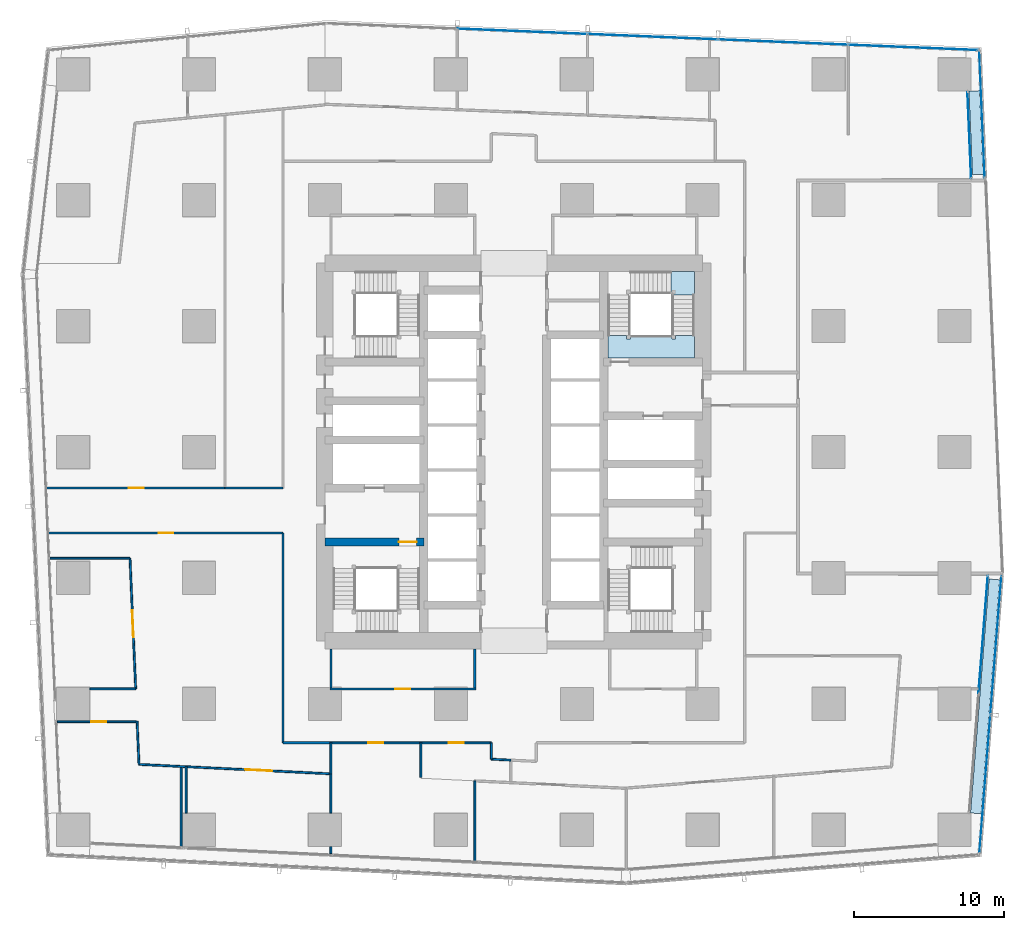
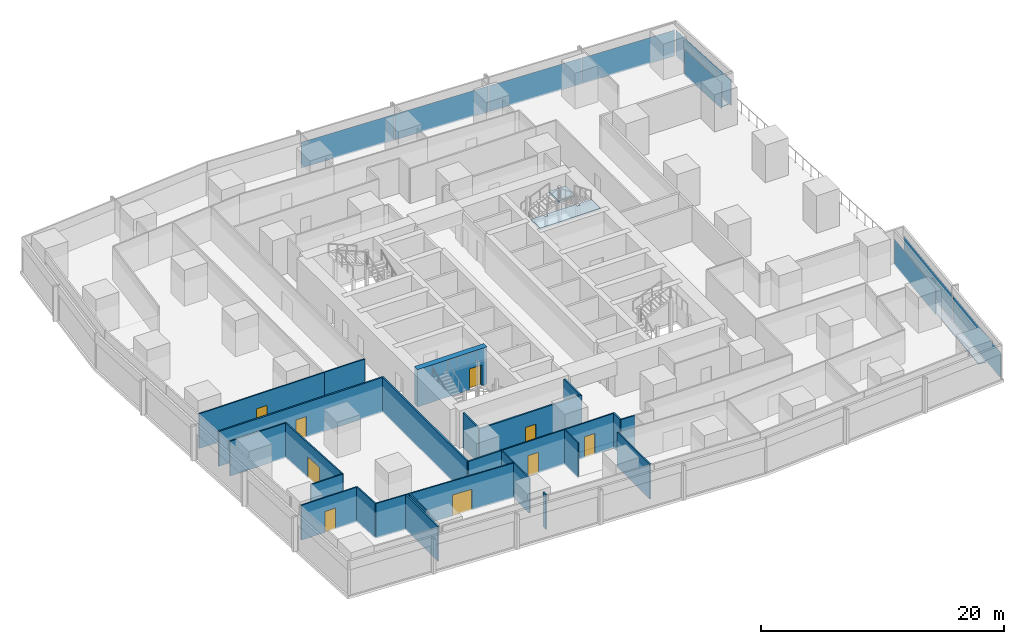
# One storey, part 29 of 42: 27 walls, 11 plates, 9 doors, 2 slabs, 9 openings, 6 elements without a shape of their own.
"""IFC4 building model written with IfcOpenShell, lengths in metres."""

from ifc_helpers import new_model, si_unit, direction, frame, frame_2d, origin, origin_2d, place, context, subcontext, project, spatial, polyline, rectangle, outline, extrude, material, layer, layer_set, type_object, element, fill, aggregate, save


model = new_model("IFC4")

# Units and contexts
model_context = context("Model", 3, precision=1e-05, world=origin(), true_north=direction((0.0, 1.0)))
body_context = subcontext(model_context, "Body", "Model", "MODEL_VIEW")
ifc_project = project(units=[si_unit("LENGTHUNIT", "METRE"), si_unit("AREAUNIT", "SQUARE_METRE"), si_unit("VOLUMEUNIT", "CUBIC_METRE"), si_unit("PLANEANGLEUNIT", "RADIAN"), si_unit("MASSUNIT", "GRAM", prefix="KILO")], contexts=[model_context])

# Site, building, storey
site_placement = place(None, origin())
site = spatial("IfcSite", under=ifc_project, at=site_placement, CompositionType="ELEMENT")
building_placement = place(site_placement, origin())
building = spatial("IfcBuilding", under=site, at=building_placement, Name="Rekha Terrace Tower", CompositionType="ELEMENT")
storey_placement = place(building_placement, frame((0.0, 0.0, 70.39990234375)))
storey = spatial("IfcBuildingStorey", under=building, at=storey_placement, Name="L17", CompositionType="ELEMENT", Elevation=70.39990234375)

# Curtain wall, plate
ifc_material_1 = material(Name="Aluminium framing", Category="aluminium")
curtain_wall_type_1 = type_object("IfcCurtainWallType", Name="CW1 double skin inner glazing", PredefinedType="USERDEFINED", material=ifc_material_1)
curtain_wall_1_placement = place(storey_placement, origin())
curtain_wall_1 = element("IfcCurtainWall", 1, at=curtain_wall_1_placement, inside=storey, type_object=curtain_wall_type_1, Name="CW1 double skin inner glazing", ObjectType="DOUBLE SKIN INNER GLAZING", PredefinedType="USERDEFINED")
ifc_material_2 = material(Name="Double-glazed low-e unit 32", Category="glass")
ifc_layer_1 = layer(ifc_material_2, 0.031982421875)
ifc_layer_set_1 = layer_set([ifc_layer_1], Name="Double-glazed low-e unit 32")
plate_type_1 = type_object("IfcPlateType", Name="CW1 jumbo vision panel, double-glazed low-e unit 32", PredefinedType="CURTAIN_PANEL", material=ifc_layer_set_1)
plate_1_placement = place(storey_placement, frame((69.11279296875, 21.41796875, 0.0), z_axis=(0.0, 0.0, 1.0), x_axis=(0.079116300982, 0.996865392578, 0.0)))
plate_1 = element("IfcPlate", 2, at=plate_1_placement, type_object=plate_type_1, Name="CW1 panel 2.1", PredefinedType="CURTAIN_PANEL", context=body_context, shape_type="SweptSolid", body=[
    extrude(rectangle(XDim=7.865234375, YDim=0.031982421875, at=origin_2d()), origin(), (0.0, 0.0, 1.0), 2.60009765625),
])
aggregate(curtain_wall_1, [plate_1])

curtain_wall_2_placement = place(storey_placement, origin())
curtain_wall_2 = element("IfcCurtainWall", 3, at=curtain_wall_2_placement, inside=storey, type_object=curtain_wall_type_1, Name="CW1 double skin inner glazing", ObjectType="DOUBLE SKIN INNER GLAZING", PredefinedType="USERDEFINED")
plate_2_placement = place(storey_placement, frame((68.189453125, 54.742919921875, 0.0), z_axis=(0.0, 0.0, 1.0), x_axis=(-0.042696073026, 0.9990881069, 0.0)))
plate_2 = element("IfcPlate", 4, at=plate_2_placement, type_object=plate_type_1, Name="CW1 panel 1.1", PredefinedType="CURTAIN_PANEL", context=body_context, shape_type="SweptSolid", body=[
    extrude(rectangle(XDim=5.7412109375, YDim=0.031982421875, at=origin_2d()), origin(), (0.0, 0.0, 1.0), 2.60009765625),
])
aggregate(curtain_wall_2, [plate_2])

# Curtain wall, plates
curtain_wall_type_2 = type_object("IfcCurtainWallType", Name="CW2 double skin outer glazing", PredefinedType="USERDEFINED", material=ifc_material_1)
curtain_wall_3_placement = place(storey_placement, origin())
curtain_wall_3 = element("IfcCurtainWall", 5, at=curtain_wall_3_placement, inside=storey, type_object=curtain_wall_type_2, Name="CW2 double skin outer glazing", ObjectType="DOUBLE SKIN OUTER GLAZING", PredefinedType="USERDEFINED")
ifc_material_3 = material(Name="Toughened single glazing 12", Category="glass")
ifc_layer_2 = layer(ifc_material_3, 0.011962890625)
ifc_layer_set_2 = layer_set([ifc_layer_2], Name="Toughened single glazing 12")
plate_type_2 = type_object("IfcPlateType", Name="CW2 jumbo vision panel, toughened single glazing 12", PredefinedType="CURTAIN_PANEL", material=ifc_layer_set_2)
plate_3_placement = place(storey_placement, frame((69.222900390625, 11.43212890625, 0.0), z_axis=(0.0, 0.0, 1.0), x_axis=(0.079116300982, 0.996865392578, 0.0)))
plate_3 = element("IfcPlate", 6, at=plate_3_placement, type_object=plate_type_2, Name="CW2 panel 1.1", PredefinedType="CURTAIN_PANEL", context=body_context, shape_type="SweptSolid", body=[
    extrude(rectangle(XDim=9.236572265625, YDim=0.011962890625, at=origin_2d()), origin(), (0.0, 0.0, 1.0), 2.60009765625),
])
plate_4_placement = place(storey_placement, frame((69.960205078125, 20.719482421875, 0.0), z_axis=(0.0, 0.0, 1.0), x_axis=(0.079116300982, 0.996865392578, 0.0)))
plate_4 = element("IfcPlate", 7, at=plate_4_placement, type_object=plate_type_2, Name="CW2 panel 2.1", PredefinedType="CURTAIN_PANEL", context=body_context, shape_type="SweptSolid", body=[
    extrude(rectangle(XDim=9.236572265625, YDim=0.011962890625, at=origin_2d()), origin(), (0.0, 0.0, 1.0), 2.60009765625),
])
aggregate(curtain_wall_3, [plate_3, plate_4])

# Curtain wall, plate
curtain_wall_4_placement = place(storey_placement, origin())
curtain_wall_4 = element("IfcCurtainWall", 8, at=curtain_wall_4_placement, inside=storey, type_object=curtain_wall_type_2, Name="CW2 double skin outer glazing", ObjectType="DOUBLE SKIN OUTER GLAZING", PredefinedType="USERDEFINED")
plate_5_placement = place(storey_placement, frame((69.031005859375, 56.128173828125, 0.0), z_axis=(0.0, 0.0, 1.0), x_axis=(-0.042696072956, 0.999088106903, 0.0)))
plate_5 = element("IfcPlate", 9, at=plate_5_placement, type_object=plate_type_2, Name="CW2 panel 1.1", PredefinedType="CURTAIN_PANEL", context=body_context, shape_type="SweptSolid", body=[
    extrude(rectangle(XDim=8.484130859375, YDim=0.011962890625, at=origin_2d()), origin(), (0.0, 0.0, 1.0), 2.60009765625),
])
aggregate(curtain_wall_4, [plate_5])

# Curtain wall, plates
curtain_wall_type_3 = type_object("IfcCurtainWallType", Name="CW3 north unitised glazing", PredefinedType="USERDEFINED", material=ifc_material_1)
curtain_wall_5_placement = place(storey_placement, origin())
curtain_wall_5 = element("IfcCurtainWall", 10, at=curtain_wall_5_placement, inside=storey, type_object=curtain_wall_type_3, Name="CW3 unitised curtain wall", ObjectType="UNITISED CURTAIN WALL", PredefinedType="USERDEFINED")
ifc_material_4 = material(Name="Double-glazed unit 28", Category="glass")
ifc_layer_3 = layer(ifc_material_4, 0.028076171875)
ifc_layer_set_3 = layer_set([ifc_layer_3], Name="Double-glazed unit 28")
plate_type_3 = type_object("IfcPlateType", Name="CW3 jumbo vision panel, double-glazed unit 28", PredefinedType="CURTAIN_PANEL", material=ifc_layer_set_3)
plate_6_placement = place(storey_placement, frame((64.4423828125, 60.587646484375, 0.0), z_axis=(0.0, 0.0, 1.0), x_axis=(-0.999151997647, 0.041173846041, 0.0)))
plate_6 = element("IfcPlate", 11, at=plate_6_placement, type_object=plate_type_3, Name="CW3 panel 1.1", PredefinedType="CURTAIN_PANEL", context=body_context, shape_type="SweptSolid", body=[
    extrude(rectangle(XDim=8.598876953125, YDim=0.028076171875, at=origin_2d()), origin(), (0.0, 0.0, 1.0), 2.60009765625),
])
plate_7_placement = place(storey_placement, frame((55.76318359375, 60.9453125, 0.0), z_axis=(0.0, 0.0, 1.0), x_axis=(-0.999151997647, 0.041173846041, 0.0)))
plate_7 = element("IfcPlate", 12, at=plate_7_placement, type_object=plate_type_3, Name="CW3 panel 2.1", PredefinedType="CURTAIN_PANEL", context=body_context, shape_type="SweptSolid", body=[
    extrude(rectangle(XDim=8.6337890625, YDim=0.028076171875, at=origin_2d()), origin(), (0.0, 0.0, 1.0), 2.60009765625),
])
plate_8_placement = place(storey_placement, frame((47.066650390625, 61.3037109375, 0.0), z_axis=(0.0, 0.0, 1.0), x_axis=(-0.999151997647, 0.041173846041, 0.0)))
plate_8 = element("IfcPlate", 13, at=plate_8_placement, type_object=plate_type_3, Name="CW3 panel 3.1", PredefinedType="CURTAIN_PANEL", context=body_context, shape_type="SweptSolid", body=[
    extrude(rectangle(XDim=8.6337890625, YDim=0.028076171875, at=origin_2d()), origin(), (0.0, 0.0, 1.0), 2.60009765625),
])
plate_9_placement = place(storey_placement, frame((38.370361328125, 61.662109375, 0.0), z_axis=(0.0, 0.0, 1.0), x_axis=(-0.999151997647, 0.041173846041, 0.0)))
plate_9 = element("IfcPlate", 14, at=plate_9_placement, type_object=plate_type_3, Name="CW3 panel 4.1", PredefinedType="CURTAIN_PANEL", context=body_context, shape_type="SweptSolid", body=[
    extrude(rectangle(XDim=8.6337890625, YDim=0.028076171875, at=origin_2d()), origin(), (0.0, 0.0, 1.0), 2.60009765625),
])
aggregate(curtain_wall_5, [plate_6, plate_7, plate_8, plate_9])

# Plates
ifc_material_5 = material(Name="Galvanised steel open grating", Category="steel")
ifc_layer_4 = layer(ifc_material_5, 0.050048828125)
ifc_layer_set_4 = layer_set([ifc_layer_4], Name="Galvanised steel open grating")
plate_type_4 = type_object("IfcPlateType", Name="GT1 cavity walkway grating 50", PredefinedType="USERDEFINED", material=ifc_layer_set_4)
plate_10_placement = place(storey_placement, frame((69.2373046875, 17.29931640625, 0.0), z_axis=(0.0, 0.0, 1.0), x_axis=(0.079116301, 0.996865392576, 0.0)))
element("IfcPlate", 15, at=plate_10_placement, inside=storey, type_object=plate_type_4, Name="Cavity walkway grating", ObjectType="CAVITY WALKWAY GRATING", PredefinedType="USERDEFINED", context=body_context, shape_type="SweptSolid", body=[
    extrude(rectangle(XDim=15.658203125, YDim=0.705078125, at=origin_2d()), origin(), (0.0, 0.0, 1.0), 0.050048828125),
])
plate_11_placement = place(storey_placement, frame((68.633056640625, 54.8994140625, 0.0), z_axis=(0.0, 0.0, 1.0), x_axis=(-0.042696072939, 0.999088106903, 0.0)))
element("IfcPlate", 16, at=plate_11_placement, inside=storey, type_object=plate_type_4, Name="Cavity walkway grating", ObjectType="CAVITY WALKWAY GRATING", PredefinedType="USERDEFINED", context=body_context, shape_type="SweptSolid", body=[
    extrude(rectangle(XDim=5.58447265625, YDim=0.705078125, at=origin_2d()), origin(), (0.0, 0.0, 1.0), 0.050048828125),
])

# Stair, slabs
ifc_material_6 = material(Name="Concrete M40", Category="concrete")
stair_type = type_object("IfcStairType", Name="ST30 stair, 30 risers of 125, going 300, 1500 wide flights, 3 flights", PredefinedType="HALF_TURN_STAIR", material=ifc_material_6)
stair_placement = place(storey_placement, origin())
stair = element("IfcStair", 17, at=stair_placement, inside=storey, type_object=stair_type, Name="Stair ST2 L17 to L18", PredefinedType="HALF_TURN_STAIR")
ifc_layer_5 = layer(ifc_material_6, 0.199951171875)
ifc_layer_set_5 = layer_set([ifc_layer_5], Name="Concrete M40")
slab_type = type_object("IfcSlabType", Name="LD1 200 concrete stair landing", PredefinedType="LANDING", material=ifc_layer_set_5)
slab_1_placement = place(storey_placement, frame((0.0, 0.0, 2.300048828125)))
slab_1 = element("IfcSlab", 18, at=slab_1_placement, type_object=slab_type, Name="ST2 landing 2", PredefinedType="LANDING", context=body_context, shape_type="SweptSolid", body=[
    extrude(outline(polyline([(48.35009765625, 44.074951171875), (49.85009765625, 44.074951171875), (49.85009765625, 45.64990234375), (48.27490234375, 45.64990234375), (48.27490234375, 44.14990234375), (48.35009765625, 44.14990234375), (48.35009765625, 44.074951171875)])), origin(), (0.0, 0.0, 1.0), 0.199951171875),
])
slab_2_placement = place(storey_placement, frame((0.0, 0.0, 3.550048828125)))
slab_2 = element("IfcSlab", 19, at=slab_2_placement, type_object=slab_type, Name="ST2 landing 3", PredefinedType="LANDING", context=body_context, shape_type="SweptSolid", body=[
    extrude(outline(polyline([(44.074951171875, 41.375), (44.074951171875, 39.875), (49.85009765625, 39.875), (49.85009765625, 41.375), (48.60009765625, 41.375), (48.60009765625, 41.125), (48.35009765625, 41.125), (48.35009765625, 41.375), (45.574951171875, 41.375), (45.574951171875, 41.125), (45.324951171875, 41.125), (45.324951171875, 41.375), (44.074951171875, 41.375)])), origin(), (0.0, 0.0, 1.0), 0.199951171875),
])
aggregate(stair, [slab_1, slab_2])

# Wall, opening, door
ifc_material_7 = material(Name="Concrete M70", Category="concrete")
ifc_layer_6 = layer(ifc_material_7, 0.550048828125)
ifc_layer_set_6 = layer_set([ifc_layer_6], Name="Concrete M70")
wall_type_1 = type_object("IfcWallType", Name="CI1 550 core internal shear wall", PredefinedType="SHEAR", material=ifc_layer_set_6)
wall_1_placement = place(storey_placement, frame((25.199951171875, 27.60009765625, 0.0), z_axis=(0.0, 0.0, 1.0), x_axis=(1.0, 0.0, 0.0)))
wall_1 = element("IfcWall", 20, at=wall_1_placement, inside=storey, type_object=wall_type_1, Name="Core wall Y276W L17", PredefinedType="SHEAR", context=body_context, shape_type="SweptSolid", body=[
    extrude(rectangle(XDim=6.60009765625, YDim=0.550048828125, at=frame_2d((3.300048828125, 0.0))), origin(), (0.0, 0.0, 1.0), 3.75),
])
opening_1_placement = place(wall_1_placement, frame((4.925048828125, 0.0, 0.0)))
opening_1 = element("IfcOpeningElement", 21, at=opening_1_placement, cuts=wall_1, Name="Opening D1", PredefinedType="OPENING", context=body_context, shape_type="SweptSolid", body=[
    extrude(rectangle(XDim=1.199951171875, YDim=2.10009765625, at=frame_2d((0.60009765625, 1.050048828125))), frame((0.0, 0.284912109375, 0.0), z_axis=(0.0, -1.0, 0.0), x_axis=(1.0, 0.0, 0.0)), (0.0, 0.0, 1.0), 0.570068359375),
])
ifc_material_8 = material(Name="Steel fire door", Category="steel")
door_type_1 = type_object("IfcDoorType", Name="D1 1200x2100 stair fire door", OperationType="SINGLE_SWING_RIGHT", PredefinedType="DOOR", material=ifc_material_8)
door_1_placement = place(opening_1_placement, origin())
door_1 = element("IfcDoor", 22, at=door_1_placement, inside=storey, type_object=door_type_1, Name="Stair ST1 door L17", OperationType="SINGLE_SWING_RIGHT", OverallHeight=2.10009765625, OverallWidth=1.199951171875, PredefinedType="DOOR", context=body_context, shape_type="SweptSolid", body=[
    extrude(rectangle(XDim=1.199951171875, YDim=2.10009765625, at=frame_2d((0.60009765625, 1.050048828125))), frame((0.0, 0.02490234375, 0.0), z_axis=(0.0, -1.0, 0.0), x_axis=(1.0, 0.0, 0.0)), (0.0, 0.0, 1.0), 0.050048828125),
])
fill(opening_1, door_1)

ifc_material_9 = material(Name="Concrete block masonry, 1 hour", Category="masonry")
ifc_layer_7 = layer(ifc_material_9, 0.14990234375)
ifc_layer_set_7 = layer_set([ifc_layer_7], Name="Concrete block masonry, 1 hour")
wall_type_2 = type_object("IfcWallType", Name="WP2 150 tenancy partition", PredefinedType="PARTITIONING", material=ifc_layer_set_7)
wall_2_placement = place(storey_placement, frame((25.52490234375, 17.800048828125, 0.0), z_axis=(0.0, 0.0, 1.0), x_axis=(1.0, 0.0, 0.0)))
wall_2 = element("IfcWall", 23, at=wall_2_placement, inside=storey, type_object=wall_type_2, Name="Men's WC wall L17", PredefinedType="PARTITIONING", context=body_context, shape_type="SweptSolid", body=[
    extrude(rectangle(XDim=9.75, YDim=0.14990234375, at=frame_2d((4.875, 0.0))), origin(), (0.0, 0.0, 1.0), 3.5),
])
opening_2_placement = place(wall_2_placement, frame((4.375, 0.0, 0.0)))
opening_2 = element("IfcOpeningElement", 24, at=opening_2_placement, cuts=wall_2, Name="Opening D3", PredefinedType="OPENING", context=body_context, shape_type="SweptSolid", body=[
    extrude(rectangle(XDim=1.0, YDim=2.10009765625, at=frame_2d((0.5, 1.050048828125))), frame((0.0, 0.0849609375, 0.0), z_axis=(0.0, -1.0, 0.0), x_axis=(1.0, 0.0, 0.0)), (0.0, 0.0, 1.0), 0.169921875),
])
ifc_material_10 = material(Name="Laminated timber fire door", Category="wood")
door_type_2 = type_object("IfcDoorType", Name="D3 1000x2100 WC door", OperationType="SINGLE_SWING_LEFT", PredefinedType="DOOR", material=ifc_material_10)
door_2_placement = place(opening_2_placement, origin())
door_2 = element("IfcDoor", 25, at=door_2_placement, inside=storey, type_object=door_type_2, Name="Door men's wc L17", OperationType="SINGLE_SWING_LEFT", OverallHeight=2.10009765625, OverallWidth=1.0, PredefinedType="DOOR", context=body_context, shape_type="SweptSolid", body=[
    extrude(rectangle(XDim=1.0, YDim=2.10009765625, at=frame_2d((0.5, 1.050048828125))), frame((0.0, 0.02490234375, 0.0), z_axis=(0.0, -1.0, 0.0), x_axis=(1.0, 0.0, 0.0)), (0.0, 0.0, 1.0), 0.050048828125),
])
fill(opening_2, door_2)

# Walls
for number, where, z_axis, x_axis, name in (
    (26, (25.60009765625, 17.875, 0.0), (0.0, 0.0, 1.0), (0.0, 1.0, 0.0), "Men's WC wall L17"),
    (27, (35.199951171875, 17.875, 0.0), (0.0, 0.0, 1.0), (0.0, 1.0, 0.0), "Men's WC wall L17"),
):
    element("IfcWall", number, at=place(storey_placement, frame(where, z_axis=z_axis, x_axis=x_axis)), inside=storey, type_object=wall_type_2, Name=name, PredefinedType="PARTITIONING", context=body_context, shape_type="SweptSolid", body=[
        extrude(rectangle(XDim=2.574951171875, YDim=0.14990234375, at=frame_2d((1.28759765625, 0.0))), origin(), (0.0, 0.0, 1.0), 3.5),
    ])

# Wall, opening, door
wall_3_placement = place(storey_placement, frame((6.76708984375, 28.199951171875, 0.0), z_axis=(0.0, 0.0, 1.0), x_axis=(1.0, 0.0, 0.0)))
wall_3 = element("IfcWall", 28, at=wall_3_placement, inside=storey, type_object=wall_type_2, Name="Partition L17-O4", PredefinedType="PARTITIONING", context=body_context, shape_type="SweptSolid", body=[
    extrude(rectangle(XDim=15.6328125, YDim=0.14990234375, at=frame_2d((7.81640625, 0.0))), origin(), (0.0, 0.0, 1.0), 3.5),
])
opening_3_placement = place(wall_3_placement, frame((7.3310546875, 0.0, 0.0)))
opening_3 = element("IfcOpeningElement", 29, at=opening_3_placement, cuts=wall_3, Name="Opening D9", PredefinedType="OPENING", context=body_context, shape_type="SweptSolid", body=[
    extrude(rectangle(XDim=1.0, YDim=2.10009765625, at=frame_2d((0.5, 1.050048828125))), frame((0.0, 0.0849609375, 0.0), z_axis=(0.0, -1.0, 0.0), x_axis=(1.0, 0.0, 0.0)), (0.0, 0.0, 1.0), 0.169921875),
])
ifc_material_11 = material(Name="Timber fire door", Category="wood")
door_type_3 = type_object("IfcDoorType", Name="D9 1000x2100 office door", OperationType="SINGLE_SWING_LEFT", PredefinedType="DOOR", material=ifc_material_11)
door_3_placement = place(opening_3_placement, origin())
door_3 = element("IfcDoor", 30, at=door_3_placement, inside=storey, type_object=door_type_3, Name="Door open-plan office L17", OperationType="SINGLE_SWING_LEFT", OverallHeight=2.10009765625, OverallWidth=1.0, PredefinedType="DOOR", context=body_context, shape_type="SweptSolid", body=[
    extrude(rectangle(XDim=1.0, YDim=2.10009765625, at=frame_2d((0.5, 1.050048828125))), frame((0.0, 0.02490234375, 0.0), z_axis=(0.0, -1.0, 0.0), x_axis=(1.0, 0.0, 0.0)), (0.0, 0.0, 1.0), 0.050048828125),
])
fill(opening_3, door_3)

# Walls
wall_4_placement = place(storey_placement, frame((22.39990234375, 28.199951171875, 0.0), z_axis=(0.0, 0.0, 1.0), x_axis=(0.0, -1.0, 0.0)))
element("IfcWall", 31, at=wall_4_placement, inside=storey, type_object=wall_type_2, Name="Partition L17-O4", PredefinedType="PARTITIONING", context=body_context, shape_type="SweptSolid", body=[
    extrude(rectangle(XDim=14.0, YDim=0.14990234375, at=frame_2d((7.0, 0.0))), origin(), (0.0, 0.0, 1.0), 3.5),
])
wall_5_placement = place(storey_placement, frame((22.39990234375, 14.199951171875, 0.0), z_axis=(0.0, 0.0, 1.0), x_axis=(1.0, 0.0, 0.0)))
element("IfcWall", 32, at=wall_5_placement, inside=storey, type_object=wall_type_2, Name="Partition L17-O4", PredefinedType="PARTITIONING", context=body_context, shape_type="SweptSolid", body=[
    extrude(rectangle(XDim=3.2001953125, YDim=0.14990234375, at=frame_2d((1.60009765625, 0.0))), origin(), (0.0, 0.0, 1.0), 3.5),
])
ifc_material_12 = material(Name="Two layers of fire-rated gypsum board each side on steel studs, acoustic quilt, 1 hour", Category="steel")
ifc_layer_8 = layer(ifc_material_12, 0.125)
ifc_layer_set_8 = layer_set([ifc_layer_8], Name="Two layers of fire-rated gypsum board each side on steel studs, acoustic quilt, 1 hour")
wall_type_3 = type_object("IfcWallType", Name="WP3 125 office partition", PredefinedType="PARTITIONING", material=ifc_layer_set_8)
wall_6_placement = place(storey_placement, frame((35.200927734375, 6.306884765625, 0.0), z_axis=(0.0, 0.0, 1.0), x_axis=(0.0, 1.0, 0.0)))
element("IfcWall", 33, at=wall_6_placement, inside=storey, type_object=wall_type_3, Name="Partition L17-02", PredefinedType="PARTITIONING", context=body_context, shape_type="SweptSolid", body=[
    extrude(rectangle(XDim=5.356201171875, YDim=0.125, at=frame_2d((2.67822265625, 0.0))), origin(), (0.0, 0.0, 1.0), 3.5),
])
wall_7_placement = place(storey_placement, frame((25.60107421875, 6.80810546875, 0.0), z_axis=(0.0, 0.0, 1.0), x_axis=(0.0, 1.0, 0.0)))
element("IfcWall", 34, at=wall_7_placement, inside=storey, type_object=wall_type_3, Name="Partition L17-06", PredefinedType="PARTITIONING", context=body_context, shape_type="SweptSolid", body=[
    extrude(rectangle(XDim=0.471923828125, YDim=0.125, at=frame_2d((0.23583984375, 0.0))), origin(), (0.0, 0.0, 1.0), 3.5),
])
wall_8_placement = place(storey_placement, frame((25.60107421875, 9.52001953125, 0.0), z_axis=(0.0, 0.0, 1.0), x_axis=(0.0, 1.0, 0.0)))
element("IfcWall", 35, at=wall_8_placement, inside=storey, type_object=wall_type_3, Name="Partition L17-06", PredefinedType="PARTITIONING", context=body_context, shape_type="SweptSolid", body=[
    extrude(rectangle(XDim=2.614013671875, YDim=0.125, at=frame_2d((1.30712890625, 0.0))), origin(), (0.0, 0.0, 1.0), 3.5),
])

# Wall, opening, door
wall_9_placement = place(storey_placement, frame((25.60107421875, 14.199951171875, 0.0), z_axis=(0.0, 0.0, 1.0), x_axis=(1.0, 0.0, 0.0)))
wall_9 = element("IfcWall", 36, at=wall_9_placement, inside=storey, type_object=wall_type_3, Name="Partition L17-07", PredefinedType="PARTITIONING", context=body_context, shape_type="SweptSolid", body=[
    extrude(rectangle(XDim=6.0, YDim=0.125, at=frame_2d((3.0, 0.0))), origin(), (0.0, 0.0, 1.0), 3.5),
])
opening_4_placement = place(wall_9_placement, frame((2.5, 0.0, 0.0)))
opening_4 = element("IfcOpeningElement", 37, at=opening_4_placement, cuts=wall_9, Name="Opening D9", PredefinedType="OPENING", context=body_context, shape_type="SweptSolid", body=[
    extrude(rectangle(XDim=1.0, YDim=2.10009765625, at=frame_2d((0.5, 1.050048828125))), frame((0.0, 0.072509765625, 0.0), z_axis=(0.0, -1.0, 0.0), x_axis=(1.0, 0.0, 0.0)), (0.0, 0.0, 1.0), 0.14501953125),
])
door_4_placement = place(opening_4_placement, origin())
door_4 = element("IfcDoor", 38, at=door_4_placement, inside=storey, type_object=door_type_3, Name="Door reception L17", OperationType="SINGLE_SWING_LEFT", OverallHeight=2.10009765625, OverallWidth=1.0, PredefinedType="DOOR", context=body_context, shape_type="SweptSolid", body=[
    extrude(rectangle(XDim=1.0, YDim=2.10009765625, at=frame_2d((0.5, 1.050048828125))), frame((0.0, 0.02490234375, 0.0), z_axis=(0.0, -1.0, 0.0), x_axis=(1.0, 0.0, 0.0)), (0.0, 0.0, 1.0), 0.050048828125),
])
fill(opening_4, door_4)

# Walls
wall_10_placement = place(storey_placement, frame((31.60107421875, 14.199951171875, 0.0), z_axis=(0.0, 0.0, 1.0), x_axis=(0.0, -1.0, 0.0)))
element("IfcWall", 39, at=wall_10_placement, inside=storey, type_object=wall_type_3, Name="Partition L17-07", PredefinedType="PARTITIONING", context=body_context, shape_type="SweptSolid", body=[
    extrude(rectangle(XDim=2.2978515625, YDim=0.125, at=frame_2d((1.14892578125, 0.0))), origin(), (0.0, 0.0, 1.0), 3.5),
])
wall_11_placement = place(storey_placement, frame((25.60107421875, 12.134033203125, 0.0), z_axis=(0.0, 0.0, 1.0), x_axis=(0.0, 1.0, 0.0)))
element("IfcWall", 40, at=wall_11_placement, inside=storey, type_object=wall_type_3, Name="Partition L17-07", PredefinedType="PARTITIONING", context=body_context, shape_type="SweptSolid", body=[
    extrude(rectangle(XDim=2.06591796875, YDim=0.125, at=frame_2d((1.032958984375, 0.0))), origin(), (0.0, 0.0, 1.0), 3.5),
])

# Wall, opening, door
wall_12_placement = place(storey_placement, frame((31.60107421875, 14.199951171875, 0.0), z_axis=(0.0, 0.0, 1.0), x_axis=(1.0, 0.0, 0.0)))
wall_12 = element("IfcWall", 41, at=wall_12_placement, inside=storey, type_object=wall_type_3, Name="Partition L17-08", PredefinedType="PARTITIONING", context=body_context, shape_type="SweptSolid", body=[
    extrude(rectangle(XDim=4.698974609375, YDim=0.125, at=frame_2d((2.349609375, 0.0))), origin(), (0.0, 0.0, 1.0), 3.5),
])
opening_5_placement = place(wall_12_placement, frame((1.84912109375, 0.0, 0.0)))
opening_5 = element("IfcOpeningElement", 42, at=opening_5_placement, cuts=wall_12, Name="Opening D9", PredefinedType="OPENING", context=body_context, shape_type="SweptSolid", body=[
    extrude(rectangle(XDim=1.0, YDim=2.10009765625, at=frame_2d((0.5, 1.050048828125))), frame((0.0, 0.072509765625, 0.0), z_axis=(0.0, -1.0, 0.0), x_axis=(1.0, 0.0, 0.0)), (0.0, 0.0, 1.0), 0.14501953125),
])
door_5_placement = place(opening_5_placement, origin())
door_5 = element("IfcDoor", 43, at=door_5_placement, inside=storey, type_object=door_type_3, Name="Door meeting room L17", OperationType="SINGLE_SWING_LEFT", OverallHeight=2.10009765625, OverallWidth=1.0, PredefinedType="DOOR", context=body_context, shape_type="SweptSolid", body=[
    extrude(rectangle(XDim=1.0, YDim=2.10009765625, at=frame_2d((0.5, 1.050048828125))), frame((0.0, 0.02490234375, 0.0), z_axis=(0.0, -1.0, 0.0), x_axis=(1.0, 0.0, 0.0)), (0.0, 0.0, 1.0), 0.050048828125),
])
fill(opening_5, door_5)

# Walls
wall_13_placement = place(storey_placement, frame((36.300048828125, 14.199951171875, 0.0), z_axis=(0.0, 0.0, 1.0), x_axis=(0.0, -1.0, 0.0)))
element("IfcWall", 44, at=wall_13_placement, inside=storey, type_object=wall_type_3, Name="Partition L17-08", PredefinedType="PARTITIONING", context=body_context, shape_type="SweptSolid", body=[
    extrude(rectangle(XDim=1.0888671875, YDim=0.125, at=frame_2d((0.54443359375, 0.0))), origin(), (0.0, 0.0, 1.0), 3.5),
])
wall_14_placement = place(storey_placement, frame((36.300048828125, 13.111083984375, 0.0), z_axis=(0.0, 0.0, 1.0), x_axis=(0.998793590669, -0.049105633469, 0.0)))
element("IfcWall", 45, at=wall_14_placement, inside=storey, type_object=wall_type_3, Name="Partition L17-08", PredefinedType="PARTITIONING", context=body_context, shape_type="SweptSolid", body=[
    extrude(rectangle(XDim=1.302490234375, YDim=0.125, at=frame_2d((0.6513671875, 0.0))), origin(), (0.0, 0.0, 1.0), 3.5),
])

# Wall, opening, door
wall_15_placement = place(storey_placement, frame((18.531982421875, 31.199951171875, 0.0), z_axis=(0.0, 0.0, 1.0), x_axis=(-1.0, 0.0, 0.0)))
wall_15 = element("IfcWall", 46, at=wall_15_placement, inside=storey, type_object=wall_type_3, Name="Partition L17-16", PredefinedType="PARTITIONING", context=body_context, shape_type="SweptSolid", body=[
    extrude(rectangle(XDim=11.89697265625, YDim=0.125, at=frame_2d((5.948486328125, 0.0))), origin(), (0.0, 0.0, 1.0), 3.5),
])
opening_6_placement = place(wall_15_placement, frame((5.43310546875, 0.0, 0.0)))
opening_6 = element("IfcOpeningElement", 47, at=opening_6_placement, cuts=wall_15, Name="Opening D9", PredefinedType="OPENING", context=body_context, shape_type="SweptSolid", body=[
    extrude(rectangle(XDim=1.0, YDim=2.10009765625, at=frame_2d((0.5, 1.050048828125))), frame((0.0, 0.072509765625, 0.0), z_axis=(0.0, -1.0, 0.0), x_axis=(1.0, 0.0, 0.0)), (0.0, 0.0, 1.0), 0.14501953125),
])
door_6_placement = place(opening_6_placement, origin())
door_6 = element("IfcDoor", 48, at=door_6_placement, inside=storey, type_object=door_type_3, Name="Door office L17", OperationType="SINGLE_SWING_LEFT", OverallHeight=2.10009765625, OverallWidth=1.0, PredefinedType="DOOR", context=body_context, shape_type="SweptSolid", body=[
    extrude(rectangle(XDim=1.0, YDim=2.10009765625, at=frame_2d((0.5, 1.050048828125))), frame((0.0, 0.02490234375, 0.0), z_axis=(0.0, -1.0, 0.0), x_axis=(1.0, 0.0, 0.0)), (0.0, 0.0, 1.0), 0.050048828125),
])
fill(opening_6, door_6)

# Walls
wall_16_placement = place(storey_placement, frame((22.39990234375, 31.199951171875, 0.0), z_axis=(0.0, 0.0, 1.0), x_axis=(-1.0, 0.0, 0.0)))
element("IfcWall", 49, at=wall_16_placement, inside=storey, type_object=wall_type_3, Name="Partition L17-17", PredefinedType="PARTITIONING", context=body_context, shape_type="SweptSolid", body=[
    extrude(rectangle(XDim=3.867919921875, YDim=0.125, at=frame_2d((1.93408203125, 0.0))), origin(), (0.0, 0.0, 1.0), 3.5),
])
wall_17_placement = place(storey_placement, frame((6.87109375, 26.511962890625, 0.0), z_axis=(0.0, 0.0, 1.0), x_axis=(1.0, 0.0, 0.0)))
element("IfcWall", 50, at=wall_17_placement, inside=storey, type_object=wall_type_3, Name="Partition L17-18", PredefinedType="PARTITIONING", context=body_context, shape_type="SweptSolid", body=[
    extrude(rectangle(XDim=5.324951171875, YDim=0.125, at=frame_2d((2.66259765625, 0.0))), origin(), (0.0, 0.0, 1.0), 3.5),
])

# Wall, opening, door
wall_18_placement = place(storey_placement, frame((12.196044921875, 26.511962890625, 0.0), z_axis=(0.0, 0.0, 1.0), x_axis=(0.043670470307, -0.999045989944, 0.0)))
wall_18 = element("IfcWall", 51, at=wall_18_placement, inside=storey, type_object=wall_type_3, Name="Partition L17-18", PredefinedType="PARTITIONING", context=body_context, shape_type="SweptSolid", body=[
    extrude(rectangle(XDim=8.72119140625, YDim=0.125, at=frame_2d((4.360595703125, 0.0))), origin(), (0.0, 0.0, 1.0), 3.5),
])
opening_7_placement = place(wall_18_placement, frame((3.4609375, 0.0, 0.0)))
opening_7 = element("IfcOpeningElement", 52, at=opening_7_placement, cuts=wall_18, Name="Opening D8", PredefinedType="OPENING", context=body_context, shape_type="SweptSolid", body=[
    extrude(rectangle(XDim=1.800048828125, YDim=2.10009765625, at=frame_2d((0.89990234375, 1.050048828125))), frame((0.0, 0.072509765625, 0.0), z_axis=(0.0, -1.0, 0.0), x_axis=(1.0, 0.0, 0.0)), (0.0, 0.0, 1.0), 0.14501953125),
])
door_type_4 = type_object("IfcDoorType", Name="D8 1800x2100 double leaf door", OperationType="DOUBLE_DOOR_SINGLE_SWING", PredefinedType="DOOR", material=ifc_material_11)
door_7_placement = place(opening_7_placement, origin())
door_7 = element("IfcDoor", 53, at=door_7_placement, inside=storey, type_object=door_type_4, Name="Door breakout lounge L17", OperationType="DOUBLE_DOOR_SINGLE_SWING", OverallHeight=2.10009765625, OverallWidth=1.800048828125, PredefinedType="DOOR", context=body_context, shape_type="SweptSolid", body=[
    extrude(rectangle(XDim=1.800048828125, YDim=2.10009765625, at=frame_2d((0.89990234375, 1.050048828125))), frame((0.0, 0.02490234375, 0.0), z_axis=(0.0, -1.0, 0.0), x_axis=(1.0, 0.0, 0.0)), (0.0, 0.0, 1.0), 0.050048828125),
])
fill(opening_7, door_7)

# Walls
wall_19_placement = place(storey_placement, frame((12.576904296875, 17.799072265625, 0.0), z_axis=(0.0, 0.0, 1.0), x_axis=(-1.0, 0.0, 0.0)))
element("IfcWall", 54, at=wall_19_placement, inside=storey, type_object=wall_type_3, Name="Partition L17-18", PredefinedType="PARTITIONING", context=body_context, shape_type="SweptSolid", body=[
    extrude(rectangle(XDim=3.056884765625, YDim=0.125, at=frame_2d((1.5283203125, 0.0))), origin(), (0.0, 0.0, 1.0), 3.5),
])
wall_20_placement = place(storey_placement, frame((15.60791015625, 12.56201171875, 0.0), z_axis=(0.0, 0.0, 1.0), x_axis=(0.0, -1.0, 0.0)))
element("IfcWall", 55, at=wall_20_placement, inside=storey, type_object=wall_type_3, Name="Partition L17-19", PredefinedType="PARTITIONING", context=body_context, shape_type="SweptSolid", body=[
    extrude(rectangle(XDim=5.262939453125, YDim=0.125, at=frame_2d((2.63134765625, 0.0))), origin(), (0.0, 0.0, 1.0), 3.5),
])

# Wall, opening, door
wall_21_placement = place(storey_placement, frame((7.346923828125, 15.60791015625, 0.0), z_axis=(0.0, 0.0, 1.0), x_axis=(1.0, 0.0, 0.0)))
wall_21 = element("IfcWall", 56, at=wall_21_placement, inside=storey, type_object=wall_type_3, Name="Partition L17-19", PredefinedType="PARTITIONING", context=body_context, shape_type="SweptSolid", body=[
    extrude(rectangle(XDim=5.26318359375, YDim=0.125, at=frame_2d((2.631591796875, 0.0))), origin(), (0.0, 0.0, 1.0), 3.5),
])
opening_8_placement = place(wall_21_placement, frame((2.261962890625, 0.0, 0.0)))
opening_8 = element("IfcOpeningElement", 57, at=opening_8_placement, cuts=wall_21, Name="Opening D9", PredefinedType="OPENING", context=body_context, shape_type="SweptSolid", body=[
    extrude(rectangle(XDim=1.0, YDim=2.10009765625, at=frame_2d((0.5, 1.050048828125))), frame((0.0, 0.072509765625, 0.0), z_axis=(0.0, -1.0, 0.0), x_axis=(1.0, 0.0, 0.0)), (0.0, 0.0, 1.0), 0.14501953125),
])
door_8_placement = place(opening_8_placement, origin())
door_8 = element("IfcDoor", 58, at=door_8_placement, inside=storey, type_object=door_type_3, Name="Door director's office L17", OperationType="SINGLE_SWING_LEFT", OverallHeight=2.10009765625, OverallWidth=1.0, PredefinedType="DOOR", context=body_context, shape_type="SweptSolid", body=[
    extrude(rectangle(XDim=1.0, YDim=2.10009765625, at=frame_2d((0.5, 1.050048828125))), frame((0.0, 0.02490234375, 0.0), z_axis=(0.0, -1.0, 0.0), x_axis=(1.0, 0.0, 0.0)), (0.0, 0.0, 1.0), 0.050048828125),
])
fill(opening_8, door_8)

# Walls
wall_22_placement = place(storey_placement, frame((12.6708984375, 15.64306640625, 0.0), z_axis=(0.0, 0.0, 1.0), x_axis=(0.043782676762, -0.999041078843, 0.0)))
element("IfcWall", 59, at=wall_22_placement, inside=storey, type_object=wall_type_3, Name="Partition L17-19", PredefinedType="PARTITIONING", context=body_context, shape_type="SweptSolid", body=[
    extrude(rectangle(XDim=2.8828125, YDim=0.125, at=frame_2d((1.44140625, 0.0))), origin(), (0.0, 0.0, 1.0), 3.5),
])
wall_23_placement = place(storey_placement, frame((12.797119140625, 12.762939453125, 0.0), z_axis=(0.0, 0.0, 1.0), x_axis=(0.998790140287, -0.049175762993, 0.0)))
element("IfcWall", 60, at=wall_23_placement, inside=storey, type_object=wall_type_3, Name="Partition L17-19", PredefinedType="PARTITIONING", context=body_context, shape_type="SweptSolid", body=[
    extrude(rectangle(XDim=3.1328125, YDim=0.125, at=frame_2d((1.56640625, 0.0))), origin(), (0.0, 0.0, 1.0), 3.5),
])
wall_24_placement = place(storey_placement, frame((15.94091796875, 9.52001953125, 0.0), z_axis=(0.0, 0.0, 1.0), x_axis=(0.0, 1.0, 0.0)))
element("IfcWall", 61, at=wall_24_placement, inside=storey, type_object=wall_type_3, Name="Partition L17-20", PredefinedType="PARTITIONING", context=body_context, shape_type="SweptSolid", body=[
    extrude(rectangle(XDim=3.0888671875, YDim=0.125, at=frame_2d((1.54443359375, 0.0))), origin(), (0.0, 0.0, 1.0), 3.5),
])

# Wall, opening, door
wall_25_placement = place(storey_placement, frame((15.94091796875, 12.60888671875, 0.0), z_axis=(0.0, 0.0, 1.0), x_axis=(0.998793791176, -0.049101555046, 0.0)))
wall_25 = element("IfcWall", 62, at=wall_25_placement, inside=storey, type_object=wall_type_3, Name="Partition L17-20", PredefinedType="PARTITIONING", context=body_context, shape_type="SweptSolid", body=[
    extrude(rectangle(XDim=9.6708984375, YDim=0.125, at=frame_2d((4.83544921875, 0.0))), origin(), (0.0, 0.0, 1.0), 3.5),
])
opening_9_placement = place(wall_25_placement, frame((3.93505859375, 0.0, 0.0)))
opening_9 = element("IfcOpeningElement", 63, at=opening_9_placement, cuts=wall_25, Name="Opening D8", PredefinedType="OPENING", context=body_context, shape_type="SweptSolid", body=[
    extrude(rectangle(XDim=1.800048828125, YDim=2.10009765625, at=frame_2d((0.89990234375, 1.050048828125))), frame((0.0, 0.072509765625, 0.0), z_axis=(0.0, -1.0, 0.0), x_axis=(1.0, 0.0, 0.0)), (0.0, 0.0, 1.0), 0.14501953125),
])
door_9_placement = place(opening_9_placement, origin())
door_9 = element("IfcDoor", 64, at=door_9_placement, inside=storey, type_object=door_type_4, Name="Door print room L17", OperationType="DOUBLE_DOOR_SINGLE_SWING", OverallHeight=2.10009765625, OverallWidth=1.800048828125, PredefinedType="DOOR", context=body_context, shape_type="SweptSolid", body=[
    extrude(rectangle(XDim=1.800048828125, YDim=2.10009765625, at=frame_2d((0.89990234375, 1.050048828125))), frame((0.0, 0.02490234375, 0.0), z_axis=(0.0, -1.0, 0.0), x_axis=(1.0, 0.0, 0.0)), (0.0, 0.0, 1.0), 0.050048828125),
])
fill(opening_9, door_9)

save(model, "model.ifc")
